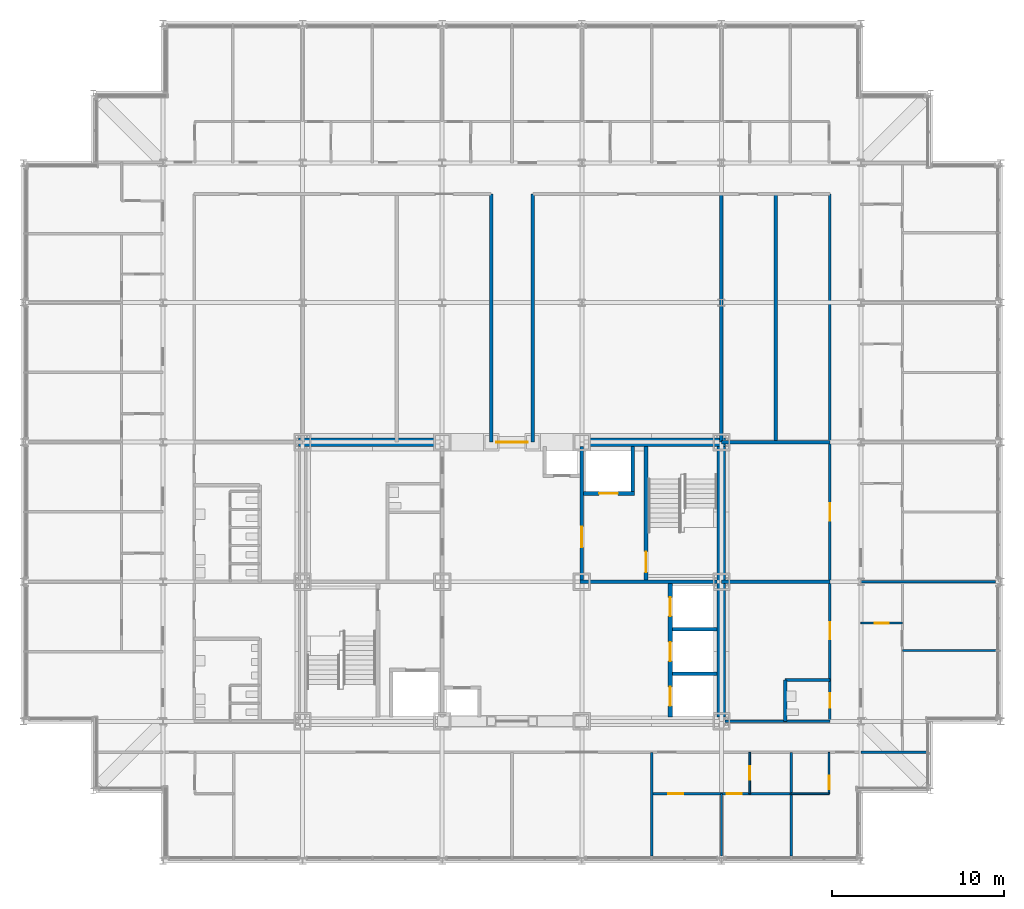
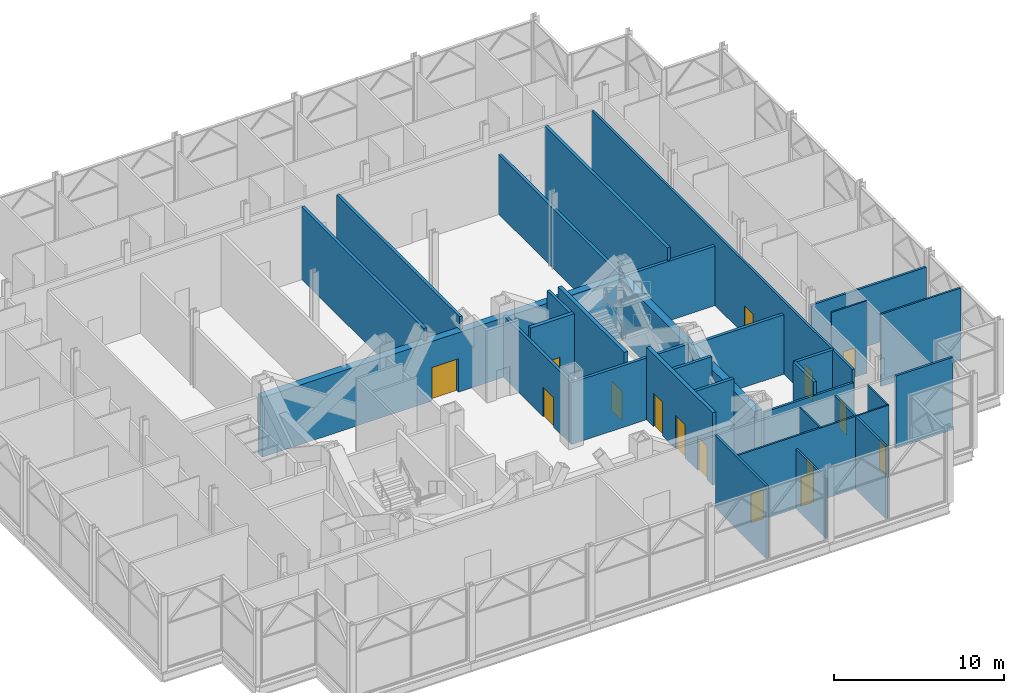
# One storey, part 21 of 26: 31 walls, 15 doors, 15 openings.
"""IFC4 building model written with IfcOpenShell, lengths in metres."""

from ifc_helpers import new_model, si_unit, direction, frame, frame_2d, origin, place, context, subcontext, project, spatial, rectangle, extrude, material, layer, layer_set, type_object, element, fill, save


model = new_model("IFC4")

# Units and contexts
model_context = context("Model", 3, precision=1e-05, world=origin(), true_north=direction((0.0, 1.0)))
body_context = subcontext(model_context, "Body", "Model", "MODEL_VIEW")
ifc_project = project(units=[si_unit("LENGTHUNIT", "METRE"), si_unit("AREAUNIT", "SQUARE_METRE"), si_unit("VOLUMEUNIT", "CUBIC_METRE"), si_unit("PLANEANGLEUNIT", "RADIAN"), si_unit("MASSUNIT", "GRAM", prefix="KILO")], contexts=[model_context])

# Site, building, storey
site_placement = place(None, origin())
site = spatial("IfcSite", under=ifc_project, at=site_placement, CompositionType="ELEMENT")
building_placement = place(site_placement, origin())
building = spatial("IfcBuilding", under=site, at=building_placement, Name="Kopane Lantern Tower", CompositionType="ELEMENT")
storey_placement = place(building_placement, frame((0.0, 0.0, 293.10009765625)))
storey = spatial("IfcBuildingStorey", under=building, at=storey_placement, Name="L75", CompositionType="ELEMENT", Elevation=293.10009765625)

# Wall, openings, doors
ifc_material_1 = material(Name="Gypsum board on steel studs", Category="steel")
ifc_layer_1 = layer(ifc_material_1, 0.1201171875)
ifc_layer_set_1 = layer_set([ifc_layer_1], Name="APARTMENT INTERNAL WALL 120")
wall_type_1 = type_object("IfcWallType", Name="APARTMENT INTERNAL WALL 120", PredefinedType="PARTITIONING", material=ifc_layer_set_1)
wall_1_placement = place(storey_placement, frame((36.449951171875, 20.10009765625, 0.0), z_axis=(0.0, 0.0, 1.0), x_axis=(1.0, 0.0, 0.0)))
wall_1 = element("IfcWall", 1, at=wall_1_placement, inside=storey, type_object=wall_type_1, Name="Apartment Internal Wall 120 L75", PredefinedType="PARTITIONING", context=body_context, shape_type="SweptSolid", body=[
    extrude(rectangle(XDim=8.10009765625, YDim=0.1201171875, at=frame_2d((4.050048828125, 0.0))), origin(), (0.0, 0.0, 1.0), 5.18994140625),
])
opening_1_placement = place(wall_1_placement, frame((0.97509765625, 0.0, 0.0)))
opening_1 = element("IfcOpeningElement", 2, at=opening_1_placement, cuts=wall_1, Name="Opening L75-018", PredefinedType="OPENING", context=body_context, shape_type="SweptSolid", body=[
    extrude(rectangle(XDim=0.85009765625, YDim=2.10009765625, at=frame_2d((0.425048828125, 1.050048828125))), frame((0.0, 0.070068359375, 0.0), z_axis=(0.0, -1.0, 0.0), x_axis=(1.0, 0.0, 0.0)), (0.0, 0.0, 1.0), 0.14013671875),
])
opening_2_placement = place(wall_1_placement, frame((4.375, 0.0, 0.0)))
opening_2 = element("IfcOpeningElement", 3, at=opening_2_placement, cuts=wall_1, Name="Opening L75-019", PredefinedType="OPENING", context=body_context, shape_type="SweptSolid", body=[
    extrude(rectangle(XDim=0.85009765625, YDim=2.10009765625, at=frame_2d((0.425048828125, 1.050048828125))), frame((0.0, 0.070068359375, 0.0), z_axis=(0.0, -1.0, 0.0), x_axis=(1.0, 0.0, 0.0)), (0.0, 0.0, 1.0), 0.14013671875),
])
ifc_material_2 = material(Name="Timber door set", Category="wood")
door_type_1 = type_object("IfcDoorType", Name="DOOR D4 850x2100", OperationType="SINGLE_SWING_LEFT", PredefinedType="DOOR", material=ifc_material_2)
door_1_placement = place(opening_1_placement, origin())
door_1 = element("IfcDoor", 4, at=door_1_placement, inside=storey, type_object=door_type_1, Name="Door L75-018", OperationType="SINGLE_SWING_LEFT", OverallHeight=2.10009765625, OverallWidth=0.85009765625, PredefinedType="DOOR", context=body_context, shape_type="SweptSolid", body=[
    extrude(rectangle(XDim=0.85009765625, YDim=2.10009765625, at=frame_2d((0.425048828125, 1.050048828125))), frame((0.0, 0.02490234375, 0.0), z_axis=(0.0, -1.0, 0.0), x_axis=(1.0, 0.0, 0.0)), (0.0, 0.0, 1.0), 0.050048828125),
])
fill(opening_1, door_1)
door_2_placement = place(opening_2_placement, origin())
door_2 = element("IfcDoor", 5, at=door_2_placement, inside=storey, type_object=door_type_1, Name="Door L75-019", OperationType="SINGLE_SWING_RIGHT", OverallHeight=2.10009765625, OverallWidth=0.85009765625, PredefinedType="DOOR", context=body_context, shape_type="SweptSolid", body=[
    extrude(rectangle(XDim=0.85009765625, YDim=2.10009765625, at=frame_2d((0.425048828125, 1.050048828125))), frame((0.0, 0.02490234375, 0.0), z_axis=(0.0, -1.0, 0.0), x_axis=(1.0, 0.0, 0.0)), (0.0, 0.0, 1.0), 0.050048828125),
])
fill(opening_2, door_2)

# Walls
wall_2_placement = place(storey_placement, frame((40.5, 20.10009765625, 0.0), z_axis=(0.0, 0.0, 1.0), x_axis=(0.0, -1.0, 0.0)))
element("IfcWall", 6, at=wall_2_placement, inside=storey, type_object=wall_type_1, Name="Apartment Internal Wall 120 L75", PredefinedType="PARTITIONING", context=body_context, shape_type="SweptSolid", body=[
    extrude(rectangle(XDim=3.60009765625, YDim=0.1201171875, at=frame_2d((1.800048828125, 0.0))), origin(), (0.0, 0.0, 1.0), 4.271484375),
])
wall_3_placement = place(storey_placement, frame((51.0, 28.399169921875, 0.0), z_axis=(0.0, 0.0, 1.0), x_axis=(1.0, 0.0, 0.0)))
element("IfcWall", 7, at=wall_3_placement, inside=storey, type_object=wall_type_1, Name="Apartment Internal Wall 120 L75", PredefinedType="PARTITIONING", context=body_context, shape_type="SweptSolid", body=[
    extrude(rectangle(XDim=5.422119140625, YDim=0.1201171875, at=frame_2d((2.7109375, 0.0))), origin(), (0.0, 0.0, 1.0), 5.18994140625),
])

# Wall, opening, door
ifc_material_3 = material(Name="Moisture-resistant board on steel studs", Category="steel")
ifc_layer_2 = layer(ifc_material_3, 0.10009765625)
ifc_layer_set_2 = layer_set([ifc_layer_2], Name="BATHROOM WALL 100")
wall_type_2 = type_object("IfcWallType", Name="BATHROOM WALL 100", PredefinedType="PARTITIONING", material=ifc_layer_set_2)
wall_4_placement = place(storey_placement, frame((42.14990234375, 22.5, 0.0), z_axis=(0.0, 0.0, 1.0), x_axis=(0.0, -1.0, 0.0)))
wall_4 = element("IfcWall", 8, at=wall_4_placement, inside=storey, type_object=wall_type_2, Name="Bathroom Wall 100 L75", PredefinedType="PARTITIONING", context=body_context, shape_type="SweptSolid", body=[
    extrude(rectangle(XDim=2.39990234375, YDim=0.10009765625, at=frame_2d((1.199951171875, 0.0))), origin(), (0.0, 0.0, 1.0), 5.18994140625),
])
opening_3_placement = place(wall_4_placement, frame((0.800048828125, 0.0, 0.0)))
opening_3 = element("IfcOpeningElement", 9, at=opening_3_placement, cuts=wall_4, Name="Opening L75-016", PredefinedType="OPENING", context=body_context, shape_type="SweptSolid", body=[
    extrude(rectangle(XDim=0.800048828125, YDim=2.10009765625, at=frame_2d((0.39990234375, 1.050048828125))), frame((0.0, 0.06005859375, 0.0), z_axis=(0.0, -1.0, 0.0), x_axis=(1.0, 0.0, 0.0)), (0.0, 0.0, 1.0), 0.1201171875),
])
ifc_material_4 = material(Name="Timber door set", Category="wood")
door_type_2 = type_object("IfcDoorType", Name="DOOR D2 800x2100", OperationType="SINGLE_SWING_LEFT", PredefinedType="DOOR", material=ifc_material_4)
door_3_placement = place(opening_3_placement, origin())
door_3 = element("IfcDoor", 10, at=door_3_placement, inside=storey, type_object=door_type_2, Name="Door L75-016", OperationType="SINGLE_SWING_LEFT", OverallHeight=2.10009765625, OverallWidth=0.800048828125, PredefinedType="DOOR", context=body_context, shape_type="SweptSolid", body=[
    extrude(rectangle(XDim=0.800048828125, YDim=2.10009765625, at=frame_2d((0.39990234375, 1.050048828125))), frame((0.0, 0.02490234375, 0.0), z_axis=(0.0, -1.0, 0.0), x_axis=(1.0, 0.0, 0.0)), (0.0, 0.0, 1.0), 0.050048828125),
])
fill(opening_3, door_3)

wall_5_placement = place(storey_placement, frame((48.60009765625, 30.0, 0.0), z_axis=(0.0, 0.0, 1.0), x_axis=(1.0, 0.0, 0.0)))
wall_5 = element("IfcWall", 11, at=wall_5_placement, inside=storey, type_object=wall_type_2, Name="Bathroom Wall 100 L75", PredefinedType="PARTITIONING", context=body_context, shape_type="SweptSolid", body=[
    extrude(rectangle(XDim=2.39990234375, YDim=0.10009765625, at=frame_2d((1.199951171875, 0.0))), origin(), (0.0, 0.0, 1.0), 5.18994140625),
])
opening_4_placement = place(wall_5_placement, frame((0.800048828125, 0.0, 0.0)))
opening_4 = element("IfcOpeningElement", 12, at=opening_4_placement, cuts=wall_5, Name="Opening L75-051", PredefinedType="OPENING", context=body_context, shape_type="SweptSolid", body=[
    extrude(rectangle(XDim=0.800048828125, YDim=2.10009765625, at=frame_2d((0.39990234375, 1.050048828125))), frame((0.0, 0.06005859375, 0.0), z_axis=(0.0, -1.0, 0.0), x_axis=(1.0, 0.0, 0.0)), (0.0, 0.0, 1.0), 0.1201171875),
])
door_4_placement = place(opening_4_placement, origin())
door_4 = element("IfcDoor", 13, at=door_4_placement, inside=storey, type_object=door_type_2, Name="Door L75-051", OperationType="SINGLE_SWING_LEFT", OverallHeight=2.10009765625, OverallWidth=0.800048828125, PredefinedType="DOOR", context=body_context, shape_type="SweptSolid", body=[
    extrude(rectangle(XDim=0.800048828125, YDim=2.10009765625, at=frame_2d((0.39990234375, 1.050048828125))), frame((0.0, 0.02490234375, 0.0), z_axis=(0.0, -1.0, 0.0), x_axis=(1.0, 0.0, 0.0)), (0.0, 0.0, 1.0), 0.050048828125),
])
fill(opening_4, door_4)

# Wall
wall_6_placement = place(storey_placement, frame((44.550048828125, 20.10009765625, 0.0), z_axis=(0.0, 0.0, 1.0), x_axis=(1.0, 0.0, 0.0)))
element("IfcWall", 14, at=wall_6_placement, inside=storey, type_object=wall_type_2, Name="Bathroom Wall 100 L75", PredefinedType="PARTITIONING", context=body_context, shape_type="SweptSolid", body=[
    extrude(rectangle(XDim=2.199951171875, YDim=0.10009765625, at=frame_2d((1.10009765625, 0.0))), origin(), (0.0, 0.0, 1.0), 5.18994140625),
])

# Wall, opening, door
wall_7_placement = place(storey_placement, frame((46.75, 22.5, 0.0), z_axis=(0.0, 0.0, 1.0), x_axis=(0.0, -1.0, 0.0)))
wall_7 = element("IfcWall", 15, at=wall_7_placement, inside=storey, type_object=wall_type_2, Name="Bathroom Wall 100 L75", PredefinedType="PARTITIONING", context=body_context, shape_type="SweptSolid", body=[
    extrude(rectangle(XDim=2.39990234375, YDim=0.10009765625, at=frame_2d((1.199951171875, 0.0))), origin(), (0.0, 0.0, 1.0), 5.18994140625),
])
opening_5_placement = place(wall_7_placement, frame((1.35009765625, 0.0, 0.0)))
opening_5 = element("IfcOpeningElement", 16, at=opening_5_placement, cuts=wall_7, Name="Opening L75-069", PredefinedType="OPENING", context=body_context, shape_type="SweptSolid", body=[
    extrude(rectangle(XDim=0.800048828125, YDim=2.10009765625, at=frame_2d((0.39990234375, 1.050048828125))), frame((0.0, 0.06005859375, 0.0), z_axis=(0.0, -1.0, 0.0), x_axis=(1.0, 0.0, 0.0)), (0.0, 0.0, 1.0), 0.1201171875),
])
door_5_placement = place(opening_5_placement, origin())
door_5 = element("IfcDoor", 17, at=door_5_placement, inside=storey, type_object=door_type_2, Name="Door L75-069", OperationType="SINGLE_SWING_LEFT", OverallHeight=2.10009765625, OverallWidth=0.800048828125, PredefinedType="DOOR", context=body_context, shape_type="SweptSolid", body=[
    extrude(rectangle(XDim=0.800048828125, YDim=2.10009765625, at=frame_2d((0.39990234375, 1.050048828125))), frame((0.0, 0.02490234375, 0.0), z_axis=(0.0, -1.0, 0.0), x_axis=(1.0, 0.0, 0.0)), (0.0, 0.0, 1.0), 0.050048828125),
])
fill(opening_5, door_5)

ifc_material_5 = material(Name="Gypsum shaft wall EI 120", Category="gypsum")
ifc_layer_3 = layer(ifc_material_5, 0.5)
ifc_layer_set_3 = layer_set([ifc_layer_3], Name="CORE PERIMETER WALL 500 EI 120")
wall_type_3 = type_object("IfcWallType", Name="CORE PERIMETER WALL 500 EI 120", PredefinedType="SOLIDWALL", material=ifc_layer_set_3)
wall_8_placement = place(storey_placement, frame((15.949951171875, 40.5, 0.0), z_axis=(0.0, 0.0, 1.0), x_axis=(1.0, 0.0, 0.0)))
wall_8 = element("IfcWall", 18, at=wall_8_placement, inside=storey, type_object=wall_type_3, Name="Core shaft wall L75 PN", PredefinedType="SOLIDWALL", context=body_context, shape_type="SweptSolid", body=[
    extrude(rectangle(XDim=24.800048828125, YDim=0.5, at=frame_2d((12.39990234375, 0.0))), origin(), (0.0, 0.0, 1.0), 4.271484375),
])
opening_6_placement = place(wall_8_placement, frame((11.5, 0.0, 0.0)))
opening_6 = element("IfcOpeningElement", 19, at=opening_6_placement, cuts=wall_8, Name="Opening 75.CE-N", PredefinedType="OPENING", context=body_context, shape_type="SweptSolid", body=[
    extrude(rectangle(XDim=1.800048828125, YDim=2.39990234375, at=frame_2d((0.89990234375, 1.199951171875))), frame((0.0, 0.260009765625, 0.0), z_axis=(0.0, -1.0, 0.0), x_axis=(1.0, 0.0, 0.0)), (0.0, 0.0, 1.0), 0.52001953125),
])
ifc_material_6 = material(Name="Steel door set", Category="steel")
door_type_3 = type_object("IfcDoorType", Name="CORE ENTRY DOOR 1800x2400 FD60S", OperationType="DOUBLE_DOOR_SINGLE_SWING", PredefinedType="DOOR", material=ifc_material_6)
door_6_placement = place(opening_6_placement, origin())
door_6 = element("IfcDoor", 20, at=door_6_placement, inside=storey, type_object=door_type_3, Name="Core entry door L75 north", OperationType="DOUBLE_DOOR_SINGLE_SWING", OverallHeight=2.39990234375, OverallWidth=1.800048828125, PredefinedType="DOOR", context=body_context, shape_type="SweptSolid", body=[
    extrude(rectangle(XDim=1.800048828125, YDim=2.39990234375, at=frame_2d((0.89990234375, 1.199951171875))), frame((0.0, 0.02490234375, 0.0), z_axis=(0.0, -1.0, 0.0), x_axis=(1.0, 0.0, 0.0)), (0.0, 0.0, 1.0), 0.050048828125),
])
fill(opening_6, door_6)

# Wall
wall_9_placement = place(storey_placement, frame((40.5, 24.550048828125, 0.0), z_axis=(0.0, 0.0, 1.0), x_axis=(0.0, 1.0, 0.0)))
element("IfcWall", 21, at=wall_9_placement, inside=storey, type_object=wall_type_3, Name="Core shaft wall L75 PE", PredefinedType="SOLIDWALL", context=body_context, shape_type="SweptSolid", body=[
    extrude(rectangle(XDim=15.699951171875, YDim=0.5, at=frame_2d((7.85009765625, 0.0))), origin(), (0.0, 0.0, 1.0), 4.271484375),
])

# Wall, openings, doors
ifc_material_7 = material(Name="Gypsum shaft wall EI 120", Category="gypsum")
ifc_layer_4 = layer(ifc_material_7, 0.25)
ifc_layer_set_4 = layer_set([ifc_layer_4], Name="CORE SHAFT WALL 250 EI 120")
wall_type_4 = type_object("IfcWallType", Name="CORE SHAFT WALL 250 EI 120", PredefinedType="SOLIDWALL", material=ifc_layer_set_4)
wall_10_placement = place(storey_placement, frame((37.52490234375, 24.550048828125, 0.0), z_axis=(0.0, 0.0, 1.0), x_axis=(0.0, 1.0, 0.0)))
wall_10 = element("IfcWall", 22, at=wall_10_placement, inside=storey, type_object=wall_type_4, Name="Core shaft wall L75 XLR", PredefinedType="SOLIDWALL", context=body_context, shape_type="SweptSolid", body=[
    extrude(rectangle(XDim=7.75, YDim=0.25, at=frame_2d((3.875, 0.0))), origin(), (0.0, 0.0, 1.0), 5.18994140625),
])
opening_7_placement = place(wall_10_placement, frame((0.64990234375, 0.0, 0.0)))
opening_7 = element("IfcOpeningElement", 23, at=opening_7_placement, cuts=wall_10, Name="Opening 75.LD-LR1", PredefinedType="OPENING", context=body_context, shape_type="SweptSolid", body=[
    extrude(rectangle(XDim=1.10009765625, YDim=2.39990234375, at=frame_2d((0.550048828125, 1.199951171875))), frame((0.0, 0.135009765625, 0.0), z_axis=(0.0, -1.0, 0.0), x_axis=(1.0, 0.0, 0.0)), (0.0, 0.0, 1.0), 0.27001953125),
])
opening_8_placement = place(wall_10_placement, frame((3.25, 0.0, 0.0)))
opening_8 = element("IfcOpeningElement", 24, at=opening_8_placement, cuts=wall_10, Name="Opening 75.LD-LR2", PredefinedType="OPENING", context=body_context, shape_type="SweptSolid", body=[
    extrude(rectangle(XDim=1.10009765625, YDim=2.39990234375, at=frame_2d((0.550048828125, 1.199951171875))), frame((0.0, 0.135009765625, 0.0), z_axis=(0.0, -1.0, 0.0), x_axis=(1.0, 0.0, 0.0)), (0.0, 0.0, 1.0), 0.27001953125),
])
opening_9_placement = place(wall_10_placement, frame((5.85009765625, 0.0, 0.0)))
opening_9 = element("IfcOpeningElement", 25, at=opening_9_placement, cuts=wall_10, Name="Opening 75.LD-LR3", PredefinedType="OPENING", context=body_context, shape_type="SweptSolid", body=[
    extrude(rectangle(XDim=1.10009765625, YDim=2.39990234375, at=frame_2d((0.550048828125, 1.199951171875))), frame((0.0, 0.135009765625, 0.0), z_axis=(0.0, -1.0, 0.0), x_axis=(1.0, 0.0, 0.0)), (0.0, 0.0, 1.0), 0.27001953125),
])
ifc_material_8 = material(Name="Steel door set", Category="steel")
door_type_4 = type_object("IfcDoorType", Name="LIFT LANDING DOOR 1100x2400 FD60", OperationType="DOUBLE_DOOR_SLIDING", PredefinedType="DOOR", material=ifc_material_8)
door_7_placement = place(opening_7_placement, origin())
door_7 = element("IfcDoor", 26, at=door_7_placement, inside=storey, type_object=door_type_4, Name="Landing door LR1 L75", OperationType="DOUBLE_DOOR_SLIDING", OverallHeight=2.39990234375, OverallWidth=1.10009765625, PredefinedType="DOOR", context=body_context, shape_type="SweptSolid", body=[
    extrude(rectangle(XDim=1.10009765625, YDim=2.39990234375, at=frame_2d((0.550048828125, 1.199951171875))), frame((0.0, 0.02490234375, 0.0), z_axis=(0.0, -1.0, 0.0), x_axis=(1.0, 0.0, 0.0)), (0.0, 0.0, 1.0), 0.050048828125),
])
fill(opening_7, door_7)
door_8_placement = place(opening_8_placement, origin())
door_8 = element("IfcDoor", 27, at=door_8_placement, inside=storey, type_object=door_type_4, Name="Landing door LR2 L75", OperationType="DOUBLE_DOOR_SLIDING", OverallHeight=2.39990234375, OverallWidth=1.10009765625, PredefinedType="DOOR", context=body_context, shape_type="SweptSolid", body=[
    extrude(rectangle(XDim=1.10009765625, YDim=2.39990234375, at=frame_2d((0.550048828125, 1.199951171875))), frame((0.0, 0.02490234375, 0.0), z_axis=(0.0, -1.0, 0.0), x_axis=(1.0, 0.0, 0.0)), (0.0, 0.0, 1.0), 0.050048828125),
])
fill(opening_8, door_8)
door_9_placement = place(opening_9_placement, origin())
door_9 = element("IfcDoor", 28, at=door_9_placement, inside=storey, type_object=door_type_4, Name="Landing door LR3 L75", OperationType="DOUBLE_DOOR_SLIDING", OverallHeight=2.39990234375, OverallWidth=1.10009765625, PredefinedType="DOOR", context=body_context, shape_type="SweptSolid", body=[
    extrude(rectangle(XDim=1.10009765625, YDim=2.39990234375, at=frame_2d((0.550048828125, 1.199951171875))), frame((0.0, 0.02490234375, 0.0), z_axis=(0.0, -1.0, 0.0), x_axis=(1.0, 0.0, 0.0)), (0.0, 0.0, 1.0), 0.050048828125),
])
fill(opening_9, door_9)

# Wall, opening, door
wall_11_placement = place(storey_placement, frame((36.125, 32.5, 0.0), z_axis=(0.0, 0.0, 1.0), x_axis=(0.0, 1.0, 0.0)))
wall_11 = element("IfcWall", 29, at=wall_11_placement, inside=storey, type_object=wall_type_4, Name="Core shaft wall L75 XST2", PredefinedType="SOLIDWALL", context=body_context, shape_type="SweptSolid", body=[
    extrude(rectangle(XDim=7.75, YDim=0.25, at=frame_2d((3.875, 0.0))), origin(), (0.0, 0.0, 1.0), 5.18994140625),
])
opening_10_placement = place(wall_11_placement, frame((0.449951171875, 0.0, 0.0)))
opening_10 = element("IfcOpeningElement", 30, at=opening_10_placement, cuts=wall_11, Name="Opening 75.SD2", PredefinedType="OPENING", context=body_context, shape_type="SweptSolid", body=[
    extrude(rectangle(XDim=1.199951171875, YDim=2.10009765625, at=frame_2d((0.60009765625, 1.050048828125))), frame((0.0, 0.135009765625, 0.0), z_axis=(0.0, -1.0, 0.0), x_axis=(1.0, 0.0, 0.0)), (0.0, 0.0, 1.0), 0.27001953125),
])
ifc_material_9 = material(Name="Steel door set", Category="steel")
door_type_5 = type_object("IfcDoorType", Name="STAIR DOOR 1200x2100 FD60S", OperationType="SINGLE_SWING_LEFT", PredefinedType="DOOR", material=ifc_material_9)
door_10_placement = place(opening_10_placement, origin())
door_10 = element("IfcDoor", 31, at=door_10_placement, inside=storey, type_object=door_type_5, Name="Stair door ST2 L75", OperationType="SINGLE_SWING_RIGHT", OverallHeight=2.10009765625, OverallWidth=1.199951171875, PredefinedType="DOOR", context=body_context, shape_type="SweptSolid", body=[
    extrude(rectangle(XDim=1.199951171875, YDim=2.10009765625, at=frame_2d((0.60009765625, 1.050048828125))), frame((0.0, 0.02490234375, 0.0), z_axis=(0.0, -1.0, 0.0), x_axis=(1.0, 0.0, 0.0)), (0.0, 0.0, 1.0), 0.050048828125),
])
fill(opening_10, door_10)

wall_12_placement = place(storey_placement, frame((32.5, 37.52490234375, 0.0), z_axis=(0.0, 0.0, 1.0), x_axis=(1.0, 0.0, 0.0)))
wall_12 = element("IfcWall", 32, at=wall_12_placement, inside=storey, type_object=wall_type_4, Name="Core shaft wall L75 YLF2", PredefinedType="SOLIDWALL", context=body_context, shape_type="SweptSolid", body=[
    extrude(rectangle(XDim=2.949951171875, YDim=0.25, at=frame_2d((1.47509765625, 0.0))), origin(), (0.0, 0.0, 1.0), 5.18994140625),
])
opening_11_placement = place(wall_12_placement, frame((0.89990234375, 0.0, 0.0)))
opening_11 = element("IfcOpeningElement", 33, at=opening_11_placement, cuts=wall_12, Name="Opening 75.LD-LF2", PredefinedType="OPENING", context=body_context, shape_type="SweptSolid", body=[
    extrude(rectangle(XDim=1.10009765625, YDim=2.39990234375, at=frame_2d((0.550048828125, 1.199951171875))), frame((0.0, 0.135009765625, 0.0), z_axis=(0.0, -1.0, 0.0), x_axis=(1.0, 0.0, 0.0)), (0.0, 0.0, 1.0), 0.27001953125),
])
door_11_placement = place(opening_11_placement, origin())
door_11 = element("IfcDoor", 34, at=door_11_placement, inside=storey, type_object=door_type_4, Name="Landing door LF2 L75", OperationType="DOUBLE_DOOR_SLIDING", OverallHeight=2.39990234375, OverallWidth=1.10009765625, PredefinedType="DOOR", context=body_context, shape_type="SweptSolid", body=[
    extrude(rectangle(XDim=1.10009765625, YDim=2.39990234375, at=frame_2d((0.550048828125, 1.199951171875))), frame((0.0, 0.02490234375, 0.0), z_axis=(0.0, -1.0, 0.0), x_axis=(1.0, 0.0, 0.0)), (0.0, 0.0, 1.0), 0.050048828125),
])
fill(opening_11, door_11)

# Wall, openings, doors
ifc_material_10 = material(Name="Gypsum board on steel studs", Category="steel")
ifc_layer_5 = layer(ifc_material_10, 0.14990234375)
ifc_layer_set_5 = layer_set([ifc_layer_5], Name="CORRIDOR WALL 150 EI 60")
wall_type_5 = type_object("IfcWallType", Name="CORRIDOR WALL 150 EI 60", PredefinedType="PARTITIONING", material=ifc_layer_set_5)
wall_13_placement = place(storey_placement, frame((46.800048828125, 24.300048828125, 0.0), z_axis=(0.0, 0.0, 1.0), x_axis=(0.0, 1.0, 0.0)))
wall_13 = element("IfcWall", 35, at=wall_13_placement, inside=storey, type_object=wall_type_5, Name="Corridor Wall 150 Ei 60 L75", PredefinedType="PARTITIONING", context=body_context, shape_type="SweptSolid", body=[
    extrude(rectangle(XDim=30.599853515625, YDim=0.14990234375, at=frame_2d((15.2998046875, 0.0))), origin(), (0.0, 0.0, 1.0), 5.18994140625),
])
opening_12_placement = place(wall_13_placement, frame((0.77490234375, 0.0, 0.0)))
opening_12 = element("IfcOpeningElement", 36, at=opening_12_placement, cuts=wall_13, Name="Opening L75-005", PredefinedType="OPENING", context=body_context, shape_type="SweptSolid", body=[
    extrude(rectangle(XDim=0.85009765625, YDim=2.10009765625, at=frame_2d((0.425048828125, 1.050048828125))), frame((0.0, 0.0849609375, 0.0), z_axis=(0.0, -1.0, 0.0), x_axis=(1.0, 0.0, 0.0)), (0.0, 0.0, 1.0), 0.169921875),
])
opening_13_placement = place(wall_13_placement, frame((4.75, 0.0, 0.0)))
opening_13 = element("IfcOpeningElement", 37, at=opening_13_placement, cuts=wall_13, Name="Opening L75-006", PredefinedType="OPENING", context=body_context, shape_type="SweptSolid", body=[
    extrude(rectangle(XDim=1.0, YDim=2.10009765625, at=frame_2d((0.5, 1.050048828125))), frame((0.0, 0.0849609375, 0.0), z_axis=(0.0, -1.0, 0.0), x_axis=(1.0, 0.0, 0.0)), (0.0, 0.0, 1.0), 0.169921875),
])
opening_14_placement = place(wall_13_placement, frame((11.64990234375, 0.0, 0.0)))
opening_14 = element("IfcOpeningElement", 38, at=opening_14_placement, cuts=wall_13, Name="Opening L75-007", PredefinedType="OPENING", context=body_context, shape_type="SweptSolid", body=[
    extrude(rectangle(XDim=1.0, YDim=2.10009765625, at=frame_2d((0.5, 1.050048828125))), frame((0.0, 0.0849609375, 0.0), z_axis=(0.0, -1.0, 0.0), x_axis=(1.0, 0.0, 0.0)), (0.0, 0.0, 1.0), 0.169921875),
])
door_12_placement = place(opening_12_placement, origin())
door_12 = element("IfcDoor", 39, at=door_12_placement, inside=storey, type_object=door_type_1, Name="Door L75-005", OperationType="SINGLE_SWING_LEFT", OverallHeight=2.10009765625, OverallWidth=0.85009765625, PredefinedType="DOOR", context=body_context, shape_type="SweptSolid", body=[
    extrude(rectangle(XDim=0.85009765625, YDim=2.10009765625, at=frame_2d((0.425048828125, 1.050048828125))), frame((0.0, 0.02490234375, 0.0), z_axis=(0.0, -1.0, 0.0), x_axis=(1.0, 0.0, 0.0)), (0.0, 0.0, 1.0), 0.050048828125),
])
fill(opening_12, door_12)
ifc_material_11 = material(Name="Steel door set", Category="steel")
door_type_6 = type_object("IfcDoorType", Name="DOOR D5 1000x2100 FD60", OperationType="SINGLE_SWING_LEFT", PredefinedType="DOOR", material=ifc_material_11)
door_13_placement = place(opening_13_placement, origin())
door_13 = element("IfcDoor", 40, at=door_13_placement, inside=storey, type_object=door_type_6, Name="Door L75-006", OperationType="SINGLE_SWING_RIGHT", OverallHeight=2.10009765625, OverallWidth=1.0, PredefinedType="DOOR", context=body_context, shape_type="SweptSolid", body=[
    extrude(rectangle(XDim=1.0, YDim=2.10009765625, at=frame_2d((0.5, 1.050048828125))), frame((0.0, 0.02490234375, 0.0), z_axis=(0.0, -1.0, 0.0), x_axis=(1.0, 0.0, 0.0)), (0.0, 0.0, 1.0), 0.050048828125),
])
fill(opening_13, door_13)
door_14_placement = place(opening_14_placement, origin())
door_14 = element("IfcDoor", 41, at=door_14_placement, inside=storey, type_object=door_type_6, Name="Door L75-007", OperationType="SINGLE_SWING_LEFT", OverallHeight=2.10009765625, OverallWidth=1.0, PredefinedType="DOOR", context=body_context, shape_type="SweptSolid", body=[
    extrude(rectangle(XDim=1.0, YDim=2.10009765625, at=frame_2d((0.5, 1.050048828125))), frame((0.0, 0.02490234375, 0.0), z_axis=(0.0, -1.0, 0.0), x_axis=(1.0, 0.0, 0.0)), (0.0, 0.0, 1.0), 0.050048828125),
])
fill(opening_14, door_14)

# Walls
wall_14_placement = place(storey_placement, frame((40.699951171875, 24.300048828125, 0.0), z_axis=(0.0, 0.0, 1.0), x_axis=(1.0, 0.0, 0.0)))
element("IfcWall", 42, at=wall_14_placement, inside=storey, type_object=wall_type_5, Name="Corridor Wall 150 Ei 60 L75", PredefinedType="PARTITIONING", context=body_context, shape_type="SweptSolid", body=[
    extrude(rectangle(XDim=6.10009765625, YDim=0.14990234375, at=frame_2d((3.050048828125, 0.0))), origin(), (0.0, 0.0, 1.0), 4.271484375),
])
ifc_material_12 = material(Name="Gypsum board on steel studs", Category="steel")
ifc_layer_6 = layer(ifc_material_12, 0.14990234375)
ifc_layer_set_6 = layer_set([ifc_layer_6], Name="DEMISING WALL 150 EI 60")
wall_type_6 = type_object("IfcWallType", Name="DEMISING WALL 150 EI 60", PredefinedType="PARTITIONING", material=ifc_layer_set_6)
wall_15_placement = place(storey_placement, frame((36.449951171875, 22.5, 0.0), z_axis=(0.0, 0.0, 1.0), x_axis=(0.0, -1.0, 0.0)))
element("IfcWall", 43, at=wall_15_placement, inside=storey, type_object=wall_type_6, Name="Demising Wall 150 Ei 60 L75", PredefinedType="PARTITIONING", context=body_context, shape_type="SweptSolid", body=[
    extrude(rectangle(XDim=6.02197265625, YDim=0.14990234375, at=frame_2d((3.010986328125, 0.0))), origin(), (0.0, 0.0, 1.0), 5.18994140625),
])
wall_16_placement = place(storey_placement, frame((48.60009765625, 32.39990234375, 0.0), z_axis=(0.0, 0.0, 1.0), x_axis=(1.0, 0.0, 0.0)))
element("IfcWall", 44, at=wall_16_placement, inside=storey, type_object=wall_type_6, Name="Demising Wall 150 Ei 60 L75", PredefinedType="PARTITIONING", context=body_context, shape_type="SweptSolid", body=[
    extrude(rectangle(XDim=7.7998046875, YDim=0.14990234375, at=frame_2d((3.89990234375, 0.0))), origin(), (0.0, 0.0, 1.0), 4.271484375),
])
wall_17_placement = place(storey_placement, frame((48.60009765625, 22.5, 0.0), z_axis=(0.0, 0.0, 1.0), x_axis=(1.0, 0.0, 0.0)))
element("IfcWall", 45, at=wall_17_placement, inside=storey, type_object=wall_type_6, Name="Demising Wall 150 Ei 60 L75", PredefinedType="PARTITIONING", context=body_context, shape_type="SweptSolid", body=[
    extrude(rectangle(XDim=3.87890625, YDim=0.14990234375, at=frame_2d((1.939453125, 0.0))), origin(), (0.0, 0.0, 1.0), 5.18994140625),
])
wall_18_placement = place(storey_placement, frame((44.550048828125, 22.5, 0.0), z_axis=(0.0, 0.0, 1.0), x_axis=(0.0, -1.0, 0.0)))
element("IfcWall", 46, at=wall_18_placement, inside=storey, type_object=wall_type_6, Name="Demising Wall 150 Ei 60 L75", PredefinedType="PARTITIONING", context=body_context, shape_type="SweptSolid", body=[
    extrude(rectangle(XDim=6.02197265625, YDim=0.14990234375, at=frame_2d((3.010986328125, 0.0))), origin(), (0.0, 0.0, 1.0), 5.18994140625),
])
ifc_material_13 = material(Name="Concrete masonry", Category="masonry")
ifc_layer_7 = layer(ifc_material_13, 0.199951171875)
ifc_layer_set_7 = layer_set([ifc_layer_7], Name="PLANT ROOM WALL 200 EI 120")
wall_type_7 = type_object("IfcWallType", Name="PLANT ROOM WALL 200 EI 120", PredefinedType="SOLIDWALL", material=ifc_layer_set_7)
wall_19_placement = place(storey_placement, frame((40.5, 32.39990234375, 0.0), z_axis=(0.0, 0.0, 1.0), x_axis=(1.0, 0.0, 0.0)))
element("IfcWall", 47, at=wall_19_placement, inside=storey, type_object=wall_type_7, Name="Plant Room Wall 200 Ei 120 L75", PredefinedType="SOLIDWALL", context=body_context, shape_type="SweptSolid", body=[
    extrude(rectangle(XDim=6.300048828125, YDim=0.199951171875, at=frame_2d((3.14990234375, 0.0))), origin(), (0.0, 0.0, 1.0), 4.271484375),
])
wall_20_placement = place(storey_placement, frame((46.800048828125, 26.699951171875, 0.0), z_axis=(0.0, 0.0, 1.0), x_axis=(-1.0, 0.0, 0.0)))
element("IfcWall", 48, at=wall_20_placement, inside=storey, type_object=wall_type_7, Name="Plant Room Wall 200 Ei 120 L75", PredefinedType="SOLIDWALL", context=body_context, shape_type="SweptSolid", body=[
    extrude(rectangle(XDim=2.60009765625, YDim=0.199951171875, at=frame_2d((1.300048828125, 0.0))), origin(), (0.0, 0.0, 1.0), 5.18994140625),
])
wall_21_placement = place(storey_placement, frame((44.199951171875, 24.300048828125, 0.0), z_axis=(0.0, 0.0, 1.0), x_axis=(0.0, 1.0, 0.0)))
element("IfcWall", 49, at=wall_21_placement, inside=storey, type_object=wall_type_7, Name="Plant Room Wall 200 Ei 120 L75", PredefinedType="SOLIDWALL", context=body_context, shape_type="SweptSolid", body=[
    extrude(rectangle(XDim=2.39990234375, YDim=0.199951171875, at=frame_2d((1.199951171875, 0.0))), origin(), (0.0, 0.0, 1.0), 5.18994140625),
])
wall_22_placement = place(storey_placement, frame((40.5, 40.5, 0.0), z_axis=(0.0, 0.0, 1.0), x_axis=(0.0, 1.0, 0.0)))
element("IfcWall", 50, at=wall_22_placement, inside=storey, type_object=wall_type_7, Name="Plant Room Wall 200 Ei 120 L75", PredefinedType="SOLIDWALL", context=body_context, shape_type="SweptSolid", body=[
    extrude(rectangle(XDim=14.39990234375, YDim=0.199951171875, at=frame_2d((7.199951171875, 0.0))), origin(), (0.0, 0.0, 1.0), 4.271484375),
])
for number, where, z_axis, x_axis, name in (
    (51, (43.64990234375, 54.89990234375, 0.0), (0.0, 0.0, 1.0), (0.0, -1.0, 0.0), "Plant Room Wall 200 Ei 120 L75"),
    (52, (27.14990234375, 40.5, 0.0), (0.0, 0.0, 1.0), (0.0, 1.0, 0.0), "Plant Room Wall 200 Ei 120 L75"),
    (53, (29.550048828125, 40.5, 0.0), (0.0, 0.0, 1.0), (0.0, 1.0, 0.0), "Plant Room Wall 200 Ei 120 L75"),
):
    element("IfcWall", number, at=place(storey_placement, frame(where, z_axis=z_axis, x_axis=x_axis)), inside=storey, type_object=wall_type_7, Name=name, PredefinedType="SOLIDWALL", context=body_context, shape_type="SweptSolid", body=[
        extrude(rectangle(XDim=14.39990234375, YDim=0.199951171875, at=frame_2d((7.199951171875, 0.0))), origin(), (0.0, 0.0, 1.0), 5.18994140625),
    ])
wall_23_placement = place(storey_placement, frame((40.5, 40.5, 0.0), z_axis=(0.0, 0.0, 1.0), x_axis=(1.0, 0.0, 0.0)))
element("IfcWall", 54, at=wall_23_placement, inside=storey, type_object=wall_type_7, Name="Plant Room Wall 200 Ei 120 L75", PredefinedType="SOLIDWALL", context=body_context, shape_type="SweptSolid", body=[
    extrude(rectangle(XDim=6.300048828125, YDim=0.199951171875, at=frame_2d((3.14990234375, 0.0))), origin(), (0.0, 0.0, 1.0), 4.271484375),
])
ifc_material_14 = material(Name="Gypsum shaft wall EI 120", Category="gypsum")
ifc_layer_8 = layer(ifc_material_14, 0.199951171875)
ifc_layer_set_8 = layer_set([ifc_layer_8], Name="SHAFT WALL 200 EI 120")
wall_type_8 = type_object("IfcWallType", Name="SHAFT WALL 200 EI 120", PredefinedType="SOLIDWALL", material=ifc_layer_set_8)
wall_24_placement = place(storey_placement, frame((32.300048828125, 32.39990234375, 0.0), z_axis=(0.0, 0.0, 1.0), x_axis=(1.0, 0.0, 0.0)))
element("IfcWall", 55, at=wall_24_placement, inside=storey, type_object=wall_type_8, Name="Core shaft wall L75 Y324E", PredefinedType="SOLIDWALL", context=body_context, shape_type="SweptSolid", body=[
    extrude(rectangle(XDim=7.949951171875, YDim=0.199951171875, at=frame_2d((3.97509765625, 0.0))), origin(), (0.0, 0.0, 1.0), 4.427734375),
])

# Wall, opening, door
wall_25_placement = place(storey_placement, frame((32.39990234375, 32.5, 0.0), z_axis=(0.0, 0.0, 1.0), x_axis=(0.0, 1.0, 0.0)))
wall_25 = element("IfcWall", 56, at=wall_25_placement, inside=storey, type_object=wall_type_8, Name="Core shaft wall L75 X324", PredefinedType="SOLIDWALL", context=body_context, shape_type="SweptSolid", body=[
    extrude(rectangle(XDim=7.75, YDim=0.199951171875, at=frame_2d((3.875, 0.0))), origin(), (0.0, 0.0, 1.0), 4.427734375),
])
opening_15_placement = place(wall_25_placement, frame((1.89990234375, 0.0, 0.0)))
opening_15 = element("IfcOpeningElement", 57, at=opening_15_placement, cuts=wall_25, Name="Opening 75.FL2", PredefinedType="OPENING", context=body_context, shape_type="SweptSolid", body=[
    extrude(rectangle(XDim=1.199951171875, YDim=2.10009765625, at=frame_2d((0.60009765625, 1.050048828125))), frame((0.0, 0.10986328125, 0.0), z_axis=(0.0, -1.0, 0.0), x_axis=(1.0, 0.0, 0.0)), (0.0, 0.0, 1.0), 0.219970703125),
])
ifc_material_15 = material(Name="Steel door set", Category="steel")
door_type_7 = type_object("IfcDoorType", Name="FIREFIGHTING LOBBY DOOR 1200x2100 FD60S", OperationType="SINGLE_SWING_RIGHT", PredefinedType="DOOR", material=ifc_material_15)
door_15_placement = place(opening_15_placement, origin())
door_15 = element("IfcDoor", 58, at=door_15_placement, inside=storey, type_object=door_type_7, Name="Firefighting lobby door FL2 L75", OperationType="SINGLE_SWING_LEFT", OverallHeight=2.10009765625, OverallWidth=1.199951171875, PredefinedType="DOOR", context=body_context, shape_type="SweptSolid", body=[
    extrude(rectangle(XDim=1.199951171875, YDim=2.10009765625, at=frame_2d((0.60009765625, 1.050048828125))), frame((0.0, 0.02490234375, 0.0), z_axis=(0.0, -1.0, 0.0), x_axis=(1.0, 0.0, 0.0)), (0.0, 0.0, 1.0), 0.050048828125),
])
fill(opening_15, door_15)

# Walls
for number, where, z_axis, x_axis, name in (
    (59, (37.64990234375, 27.050048828125, 0.0), (0.0, 0.0, 1.0), (1.0, 0.0, 0.0), "Core shaft wall L75 YLR12"),
    (60, (37.64990234375, 29.64990234375, 0.0), (0.0, 0.0, 1.0), (1.0, 0.0, 0.0), "Core shaft wall L75 YLR23"),
    (61, (35.35009765625, 37.64990234375, 0.0), (0.0, 0.0, 1.0), (0.0, 1.0, 0.0), "Core shaft wall L75 XLF2"),
):
    element("IfcWall", number, at=place(storey_placement, frame(where, z_axis=z_axis, x_axis=x_axis)), inside=storey, type_object=wall_type_8, Name=name, PredefinedType="SOLIDWALL", context=body_context, shape_type="SweptSolid", body=[
        extrude(rectangle(XDim=2.60009765625, YDim=0.199951171875, at=frame_2d((1.300048828125, 0.0))), origin(), (0.0, 0.0, 1.0), 5.18994140625),
    ])

save(model, "model.ifc")
